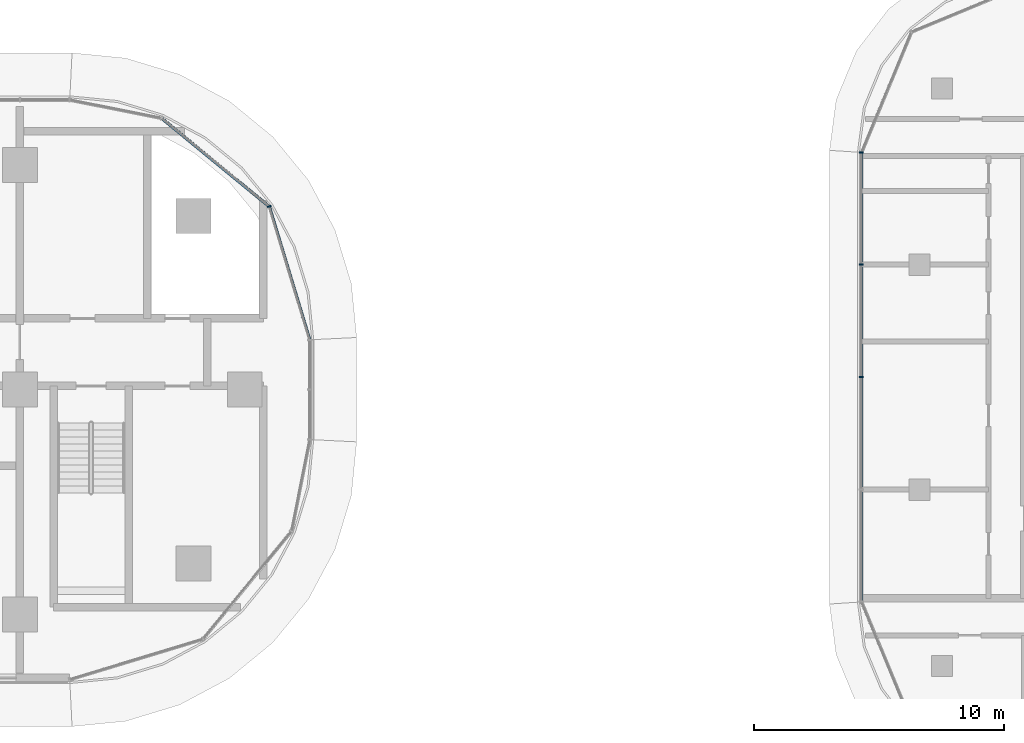
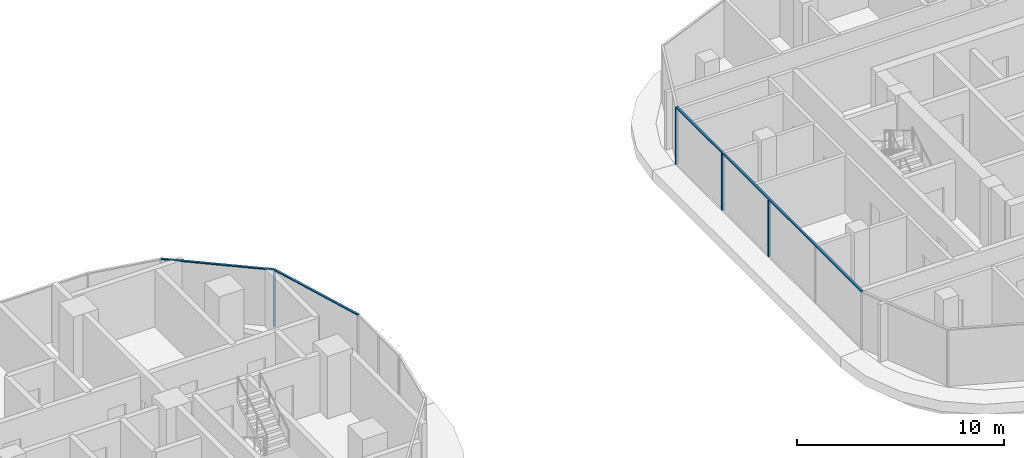
# One storey, part 10 of 36: 7 members, 2 elements without a shape of their own.
"""IFC4 building model written with IfcOpenShell, lengths in metres."""

from ifc_helpers import new_model, si_unit, direction, frame, origin, origin_2d, place, context, subcontext, project, spatial, rectangle, extrude, material, material_profile, profile_set, type_object, element, aggregate, save


model = new_model("IFC4")

# Units and contexts
model_context = context("Model", 3, precision=1e-05, world=origin(), true_north=direction((0.0, 1.0)))
body_context = subcontext(model_context, "Body", "Model", "MODEL_VIEW")
ifc_project = project(units=[si_unit("LENGTHUNIT", "METRE"), si_unit("AREAUNIT", "SQUARE_METRE"), si_unit("VOLUMEUNIT", "CUBIC_METRE"), si_unit("PLANEANGLEUNIT", "RADIAN"), si_unit("MASSUNIT", "GRAM", prefix="KILO")], contexts=[model_context])

# Site, building, storey
site_placement = place(None, origin())
site = spatial("IfcSite", under=ifc_project, at=site_placement, CompositionType="ELEMENT")
building_placement = place(site_placement, origin())
building = spatial("IfcBuilding", under=site, at=building_placement, Name="Ogive Portal Towers", CompositionType="ELEMENT")
storey_placement = place(building_placement, frame((0.0, 0.0, 63.10009765625)))
storey = spatial("IfcBuildingStorey", under=building, at=storey_placement, Name="L14", CompositionType="ELEMENT", Elevation=63.10009765625)

# Curtain wall, member
ifc_material_1 = material(Name="Glass, clear low-iron insulated glazing", Category="glass")
curtain_wall_type_1 = type_object("IfcCurtainWallType", Name="CW FRONT RIBBON 4500", PredefinedType="NOTDEFINED", material=ifc_material_1)
curtain_wall_1_placement = place(storey_placement, origin())
curtain_wall_1 = element("IfcCurtainWall", 1, at=curtain_wall_1_placement, inside=storey, type_object=curtain_wall_type_1, Name="A:L14:f13:cwa", PredefinedType="NOTDEFINED")
ifc_material_2 = material(Name="Aluminium 6063 anodised", Category="aluminium")
ifc_material_profile_1 = material_profile(ifc_material_2, rectangle(XDim=0.159912109375, YDim=0.06005859375, at=origin_2d()), Name="AL 60x160")
ifc_profile_set_1 = profile_set([ifc_material_profile_1], Name="Aluminium 6063 anodised")
member_type_1 = type_object("IfcMemberType", Name="CW MULLION 60x160", PredefinedType="MULLION", material=ifc_profile_set_1)
member_1_placement = place(storey_placement, frame((95.47900390625, 37.83154296875, 0.0), z_axis=(0.0, 0.0, 1.0), x_axis=(-0.956940335732, -0.290284677254, 0.0)))
member_1 = element("IfcMember", 2, at=member_1_placement, type_object=member_type_1, Name="mullion", PredefinedType="MULLION", context=body_context, shape_type="SweptSolid", body=[
    extrude(rectangle(XDim=0.159912109375, YDim=0.06005859375, at=origin_2d()), origin(), (0.0, 0.0, 1.0), 3.33984375),
])

# Curtain wall, members
curtain_wall_type_2 = type_object("IfcCurtainWallType", Name="CW RESIDENCES RIBBON", PredefinedType="NOTDEFINED", material=ifc_material_1)
curtain_wall_2_placement = place(storey_placement, origin())
curtain_wall_2 = element("IfcCurtainWall", 3, at=curtain_wall_2_placement, inside=storey, type_object=curtain_wall_type_2, Name="B:L14:f11:cw0", PredefinedType="NOTDEFINED")
member_2_placement = place(storey_placement, frame((119.179931640625, 39.984130859375, 0.0), z_axis=(0.0, 0.0, 1.0), x_axis=(1.0, 0.0, 0.0)))
member_2 = element("IfcMember", 4, at=member_2_placement, type_object=member_type_1, Name="mullion", PredefinedType="MULLION", context=body_context, shape_type="SweptSolid", body=[
    extrude(rectangle(XDim=0.159912109375, YDim=0.06005859375, at=origin_2d()), origin(), (0.0, 0.0, 1.0), 3.33984375),
])
member_3_placement = place(storey_placement, frame((119.179931640625, 35.5, 0.0), z_axis=(0.0, 0.0, 1.0), x_axis=(1.0, 0.0, 0.0)))
member_3 = element("IfcMember", 5, at=member_3_placement, type_object=member_type_1, Name="mullion", PredefinedType="MULLION", context=body_context, shape_type="SweptSolid", body=[
    extrude(rectangle(XDim=0.159912109375, YDim=0.06005859375, at=origin_2d()), origin(), (0.0, 0.0, 1.0), 3.33984375),
])
member_4_placement = place(storey_placement, frame((119.179931640625, 31.0, 0.0), z_axis=(0.0, 0.0, 1.0), x_axis=(1.0, 0.0, 0.0)))
member_4 = element("IfcMember", 6, at=member_4_placement, type_object=member_type_1, Name="mullion", PredefinedType="MULLION", context=body_context, shape_type="SweptSolid", body=[
    extrude(rectangle(XDim=0.159912109375, YDim=0.06005859375, at=origin_2d()), origin(), (0.0, 0.0, 1.0), 3.33984375),
])

# Member
ifc_material_profile_2 = material_profile(ifc_material_2, rectangle(XDim=0.1201171875, YDim=0.06005859375, at=origin_2d()), Name="AL 120x60")
ifc_profile_set_2 = profile_set([ifc_material_profile_2], Name="Aluminium 6063 anodised")
member_type_2 = type_object("IfcMemberType", Name="CW TRANSOM 60x120", PredefinedType="USERDEFINED", material=ifc_profile_set_2)
member_5_placement = place(storey_placement, frame((97.10009765625, 32.488037109375, 3.369873046875), z_axis=(-0.290310746868, 0.956932427214, 0.0), x_axis=(-0.956932427214, -0.290310746868, 0.0)))
member_5 = element("IfcMember", 7, at=member_5_placement, type_object=member_type_2, Name="transom", ObjectType="TRANSOM", PredefinedType="USERDEFINED", context=body_context, shape_type="SweptSolid", body=[
    extrude(rectangle(XDim=0.1201171875, YDim=0.06005859375, at=origin_2d()), origin(), (0.0, 0.0, 1.0), 5.583984375),
])

member_6_placement = place(storey_placement, frame((95.47900390625, 37.83154296875, 3.369873046875), z_axis=(-0.772998485892, 0.634407866289, 0.0), x_axis=(-0.634407866289, -0.772998485892, 0.0)))
member_6 = element("IfcMember", 8, at=member_6_placement, type_object=member_type_2, Name="transom", ObjectType="TRANSOM", PredefinedType="USERDEFINED", context=body_context, shape_type="SweptSolid", body=[
    extrude(rectangle(XDim=0.1201171875, YDim=0.06005859375, at=origin_2d()), origin(), (0.0, 0.0, 1.0), 5.575439453125),
])

aggregate(curtain_wall_1, [member_5, member_6, member_1])

member_7_placement = place(storey_placement, frame((119.179931640625, 39.984130859375, 3.369873046875), z_axis=(0.0, -1.0, 0.0), x_axis=(1.0, 0.0, 0.0)))
member_7 = element("IfcMember", 9, at=member_7_placement, type_object=member_type_2, Name="transom", ObjectType="TRANSOM", PredefinedType="USERDEFINED", context=body_context, shape_type="SweptSolid", body=[
    extrude(rectangle(XDim=0.1201171875, YDim=0.06005859375, at=origin_2d()), origin(), (0.0, 0.0, 1.0), 17.96826171875),
])

aggregate(curtain_wall_2, [member_7, member_2, member_3, member_4])

save(model, "model.ifc")
